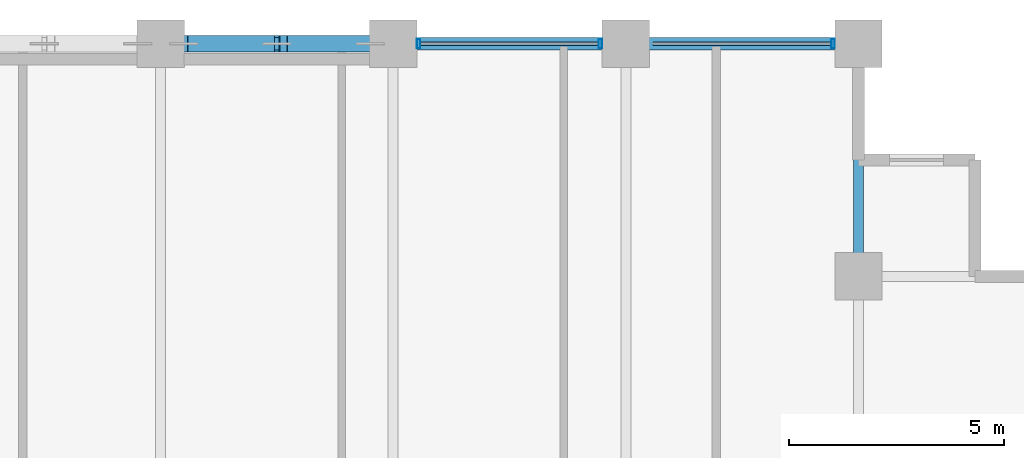
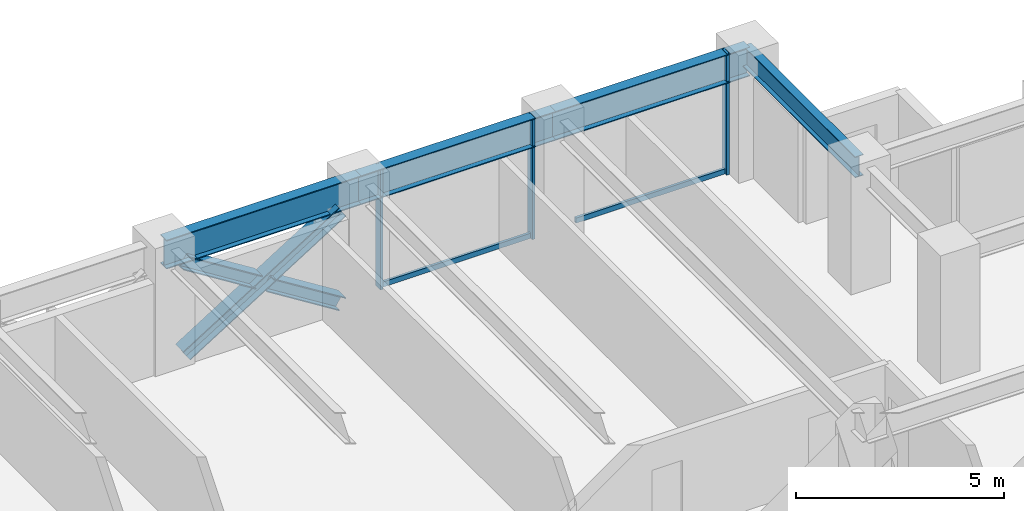
# One storey, part 16 of 24: 8 members, 4 beams, 1 element without a shape of its own.
"""IFC4 building model written with IfcOpenShell, lengths in metres."""

from ifc_helpers import new_model, si_unit, direction, frame, origin, origin_2d, place, context, subcontext, project, spatial, hollow_rectangle, i_section, extrude, material, layer, layer_set, material_profile, profile_set, type_object, element, aggregate, save


model = new_model("IFC4")

# Units and contexts
model_context = context("Model", 3, precision=1e-05, world=origin(), true_north=direction((0.0, 1.0)))
body_context = subcontext(model_context, "Body", "Model", "MODEL_VIEW")
ifc_project = project(units=[si_unit("LENGTHUNIT", "METRE"), si_unit("AREAUNIT", "SQUARE_METRE"), si_unit("VOLUMEUNIT", "CUBIC_METRE"), si_unit("PLANEANGLEUNIT", "RADIAN"), si_unit("MASSUNIT", "GRAM", prefix="KILO")], contexts=[model_context])

# Site, building, storey
site_placement = place(None, origin())
site = spatial("IfcSite", under=ifc_project, at=site_placement, CompositionType="ELEMENT")
building_placement = place(site_placement, origin())
building = spatial("IfcBuilding", under=site, at=building_placement, Name="Surkhivell Harbour Commons", CompositionType="ELEMENT")
storey_placement = place(building_placement, frame((0.0, 0.0, 105.75)))
storey = spatial("IfcBuildingStorey", under=building, at=storey_placement, Name="L27", CompositionType="ELEMENT", Elevation=105.75)

# Beams
ifc_material_1 = material(Name="Steel S355", Category="steel")
ifc_material_profile_1 = material_profile(ifc_material_1, i_section(OverallWidth=0.22998046875, OverallDepth=0.616943359375, WebThickness=0.01318359375, FlangeThickness=0.022216796875, at=origin_2d()), Name="UB610x229x140")
ifc_profile_set_1 = profile_set([ifc_material_profile_1], Name="Steel S355")
beam_type_1 = type_object("IfcBeamType", Name="BM-GRD-610B", PredefinedType="BEAM", material=ifc_profile_set_1)
beam_1_placement = place(storey_placement, frame((16.199951171875, 20.5, 3.261474609375), z_axis=(0.0, 1.0, 0.0), x_axis=(-1.0, 0.0, 0.0)))
element("IfcBeam", 1, at=beam_1_placement, inside=storey, type_object=beam_type_1, Name="L27 Floor Girder (16.2,20.5)", PredefinedType="BEAM", context=body_context, shape_type="SweptSolid", body=[
    extrude(i_section(OverallWidth=0.22998046875, OverallDepth=0.616943359375, WebThickness=0.01318359375, FlangeThickness=0.022216796875, at=origin_2d()), origin(), (0.0, 0.0, 1.0), 5.39990234375),
])
ifc_material_2 = material(Name="Steel S460", Category="steel")
ifc_material_profile_2 = material_profile(ifc_material_2, i_section(OverallWidth=0.2939453125, OverallDepth=0.85107421875, WebThickness=0.01611328125, FlangeThickness=0.02685546875, at=origin_2d()), Name="UB838x292x226")
ifc_profile_set_2 = profile_set([ifc_material_profile_2], Name="Steel S460")
beam_type_2 = type_object("IfcBeamType", Name="BM-SPN-838", PredefinedType="SPANDREL", material=ifc_profile_set_2)
beam_2_placement = place(storey_placement, frame((0.0, 25.89990234375, 3.14453125), z_axis=(1.0, 0.0, 0.0), x_axis=(0.0, 1.0, 0.0)))
element("IfcBeam", 2, at=beam_2_placement, inside=storey, type_object=beam_type_2, Name="L27 Tube Spandrel (-0.0,25.9)", PredefinedType="SPANDREL", context=body_context, shape_type="SweptSolid", body=[
    extrude(i_section(OverallWidth=0.2939453125, OverallDepth=0.85107421875, WebThickness=0.01611328125, FlangeThickness=0.02685546875, at=origin_2d()), origin(), (0.0, 0.0, 1.0), 5.39990234375),
])
beam_3_placement = place(storey_placement, frame((5.39990234375, 25.89990234375, 3.14453125), z_axis=(1.0, 0.0, 0.0), x_axis=(0.0, 1.0, 0.0)))
element("IfcBeam", 3, at=beam_3_placement, inside=storey, type_object=beam_type_2, Name="L27 Tube Spandrel (5.4,25.9)", PredefinedType="SPANDREL", context=body_context, shape_type="SweptSolid", body=[
    extrude(i_section(OverallWidth=0.2939453125, OverallDepth=0.85107421875, WebThickness=0.01611328125, FlangeThickness=0.02685546875, at=origin_2d()), origin(), (0.0, 0.0, 1.0), 5.400146484375),
])
beam_4_placement = place(storey_placement, frame((10.800048828125, 25.89990234375, 3.14453125), z_axis=(1.0, 0.0, 0.0), x_axis=(0.0, 1.0, 0.0)))
element("IfcBeam", 4, at=beam_4_placement, inside=storey, type_object=beam_type_2, Name="L27 Tube Spandrel (10.8,25.9)", PredefinedType="SPANDREL", context=body_context, shape_type="SweptSolid", body=[
    extrude(i_section(OverallWidth=0.2939453125, OverallDepth=0.85107421875, WebThickness=0.01611328125, FlangeThickness=0.02685546875, at=origin_2d()), origin(), (0.0, 0.0, 1.0), 5.39990234375),
])

# Curtain wall, members
ifc_material_3 = material(Name="Anodised pale-metal aluminium and insulated glazing", Category="aluminium")
ifc_layer = layer(ifc_material_3, 0.205078125)
ifc_layer_set = layer_set([ifc_layer], Name="Anodised pale-metal aluminium and insulated glazing")
curtain_wall_type = type_object("IfcCurtainWallType", Name="CW-SYS-Z2", PredefinedType="NOTDEFINED", material=ifc_layer_set)
curtain_wall_placement = place(storey_placement, origin())
curtain_wall = element("IfcCurtainWall", 5, at=curtain_wall_placement, inside=storey, type_object=curtain_wall_type, Name="L27 Curtain Wall CW-L27-E07S1", PredefinedType="NOTDEFINED")
ifc_material_4 = material(Name="Anodised pale-metal aluminium alloy 6063-T6", Category="aluminium")
ifc_material_profile_3 = material_profile(ifc_material_4, hollow_rectangle(XDim=0.074951171875, YDim=0.219970703125, WallThickness=0.00390625, at=origin_2d()), Name="ALU-MULL-75x220")
ifc_profile_set_3 = profile_set([ifc_material_profile_3], Name="Anodised pale-metal aluminium alloy 6063-T6")
member_type_1 = type_object("IfcMemberType", Name="CWM-220", PredefinedType="MULLION", material=ifc_profile_set_3)
member_1_placement = place(storey_placement, frame((15.610595703125, 25.89990234375, 0.0), z_axis=(0.0, 0.0, 1.0), x_axis=(-1.0, 0.0, 0.0)))
member_1 = element("IfcMember", 6, at=member_1_placement, type_object=member_type_1, Name="CW-Z2 mullion 1", PredefinedType="MULLION", context=body_context, shape_type="SweptSolid", body=[
    extrude(hollow_rectangle(XDim=0.074951171875, YDim=0.219970703125, WallThickness=0.00390625, at=origin_2d()), origin(), (0.0, 0.0, 1.0), 3.570068359375),
])
member_2_placement = place(storey_placement, frame((10.21044921875, 25.89990234375, 0.0), z_axis=(0.0, 0.0, 1.0), x_axis=(-1.0, 0.0, 0.0)))
member_2 = element("IfcMember", 7, at=member_2_placement, type_object=member_type_1, Name="CW-Z2 mullion 2", PredefinedType="MULLION", context=body_context, shape_type="SweptSolid", body=[
    extrude(hollow_rectangle(XDim=0.074951171875, YDim=0.219970703125, WallThickness=0.00390625, at=origin_2d()), origin(), (0.0, 0.0, 1.0), 3.570068359375),
])
member_3_placement = place(storey_placement, frame((5.989501953125, 25.89990234375, 0.0), z_axis=(0.0, 0.0, 1.0), x_axis=(-1.0, 0.0, 0.0)))
member_3 = element("IfcMember", 8, at=member_3_placement, type_object=member_type_1, Name="CW-Z2 mullion 3", PredefinedType="MULLION", context=body_context, shape_type="SweptSolid", body=[
    extrude(hollow_rectangle(XDim=0.074951171875, YDim=0.219970703125, WallThickness=0.00390625, at=origin_2d()), origin(), (0.0, 0.0, 1.0), 3.570068359375),
])
ifc_material_profile_4 = material_profile(ifc_material_4, hollow_rectangle(XDim=0.074951171875, YDim=0.14990234375, WallThickness=0.00341796875, at=origin_2d()), Name="ALU-TRAN-75x150")
ifc_profile_set_4 = profile_set([ifc_material_profile_4], Name="Anodised pale-metal aluminium alloy 6063-T6")
member_type_2 = type_object("IfcMemberType", Name="CWT-150", PredefinedType="USERDEFINED", material=ifc_profile_set_4)
member_4_placement = place(storey_placement, frame((15.572998046875, 25.89990234375, 0.074951171875), z_axis=(-1.0, 0.0, 0.0), x_axis=(0.0, -1.0, 0.0)))
member_4 = element("IfcMember", 9, at=member_4_placement, type_object=member_type_2, Name="CW-Z2 transom 1.1", ObjectType="TRANSOM", PredefinedType="USERDEFINED", context=body_context, shape_type="SweptSolid", body=[
    extrude(hollow_rectangle(XDim=0.074951171875, YDim=0.14990234375, WallThickness=0.00341796875, at=origin_2d()), origin(), (0.0, 0.0, 1.0), 4.14599609375),
])
member_5_placement = place(storey_placement, frame((10.173095703125, 25.89990234375, 0.074951171875), z_axis=(-1.0, 0.0, 0.0), x_axis=(0.0, -1.0, 0.0)))
member_5 = element("IfcMember", 10, at=member_5_placement, type_object=member_type_2, Name="CW-Z2 transom 2.1", ObjectType="TRANSOM", PredefinedType="USERDEFINED", context=body_context, shape_type="SweptSolid", body=[
    extrude(hollow_rectangle(XDim=0.074951171875, YDim=0.14990234375, WallThickness=0.00341796875, at=origin_2d()), origin(), (0.0, 0.0, 1.0), 4.14599609375),
])
aggregate(curtain_wall, [member_1, member_4, member_2, member_3, member_5])

# Members
ifc_material_profile_5 = material_profile(ifc_material_2, i_section(OverallWidth=0.375, OverallDepth=0.375, WebThickness=0.0166015625, FlangeThickness=0.027099609375, at=origin_2d()), Name="UC356x368x202")
ifc_profile_set_5 = profile_set([ifc_material_profile_5], Name="Steel S460")
member_type_3 = type_object("IfcMemberType", Name="MEM-BRC-UC356", PredefinedType="BRACE", material=ifc_profile_set_5)
member_6_placement = place(storey_placement, frame((0.534912109375, 25.89990234375, 0.008056640625), z_axis=(0.847246015888, 0.0, 0.531200704594), x_axis=(0.0, 1.0, 0.0)))
element("IfcMember", 11, at=member_6_placement, inside=storey, type_object=member_type_3, Name="L27 Perimeter Mega-Brace MB- 04", PredefinedType="BRACE", context=body_context, shape_type="SweptSolid", body=[
    extrude(i_section(OverallWidth=0.375, OverallDepth=0.375, WebThickness=0.0166015625, FlangeThickness=0.027099609375, at=origin_2d()), origin(), (0.0, 0.0, 1.0), 5.11083984375),
])
for number, where, z_axis, x_axis, name in (
    (12, (4.864990234375, 25.89990234375, 0.008056640625), (-0.847206308526, 0.0, 0.53126403115), (0.0, -1.0, 0.0), "L27 Perimeter Mega-Brace MB- 05"),
    (13, (2.547607421875, 25.89990234375, 1.461181640625), (-0.847281565812, 0.0, 0.531143999529), (0.0, -1.0, 0.0), "L27 Perimeter Mega-Brace MB- 06"),
):
    element("IfcMember", number, at=place(storey_placement, frame(where, z_axis=z_axis, x_axis=x_axis)), inside=storey, type_object=member_type_3, Name=name, PredefinedType="BRACE", context=body_context, shape_type="SweptSolid", body=[
        extrude(i_section(OverallWidth=0.375, OverallDepth=0.375, WebThickness=0.0166015625, FlangeThickness=0.027099609375, at=origin_2d()), origin(), (0.0, 0.0, 1.0), 2.37548828125),
    ])

save(model, "model.ifc")
